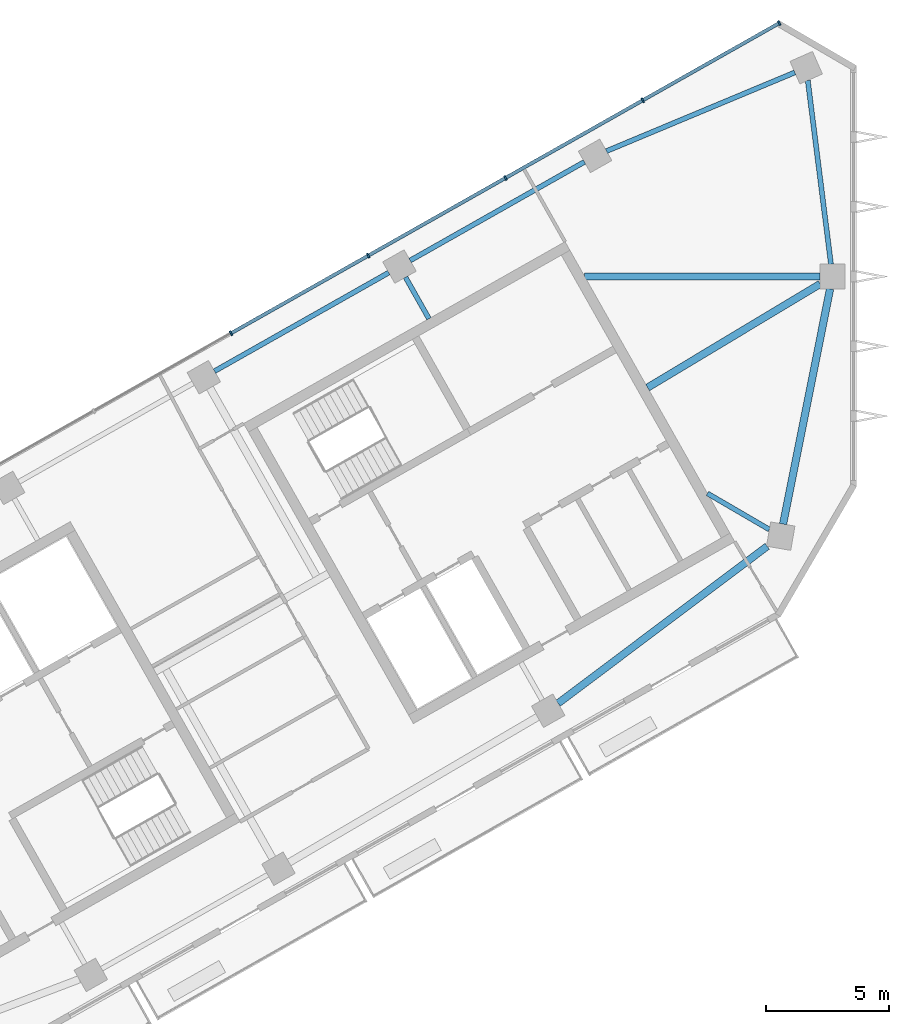
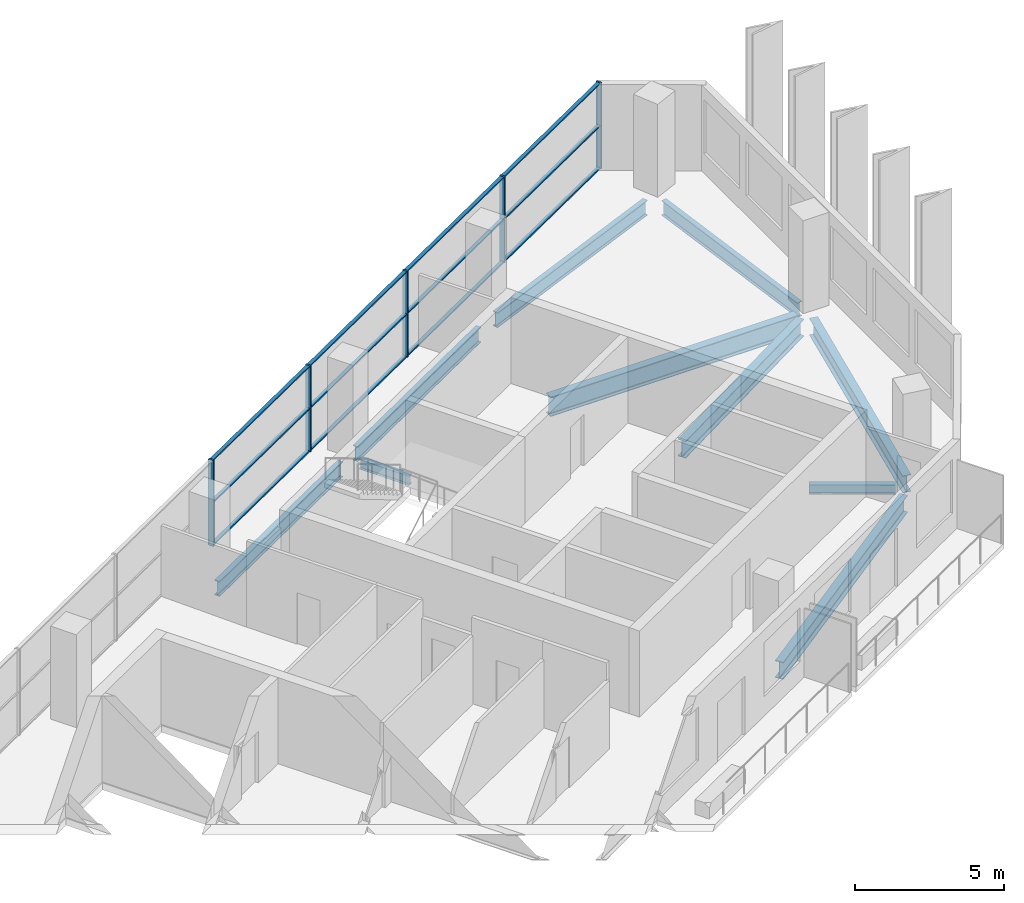
# One storey, part 4 of 10: 17 members, 10 beams, 1 element without a shape of its own.
"""IFC4 building model written with IfcOpenShell, lengths in metres."""

import ifcopenshell
import ifcopenshell.guid

model = None  # the IFC model being written
_history = None  # IfcOwnerHistory: only IFC2X3 demands one
_inside = {}  # id of a spatial element -> (the spatial element, [elements in it])
_under = {}  # id of a project, library or spatial element -> (it, [spatial elements below it])
_declared = {}  # id of a project -> (the project, [libraries it declares])
_typed = {}  # id of a type object -> (the type object, [elements of that type])
_made_of = {}  # id of a material, layer set ... -> (it, [elements and type objects made of it])


def new_model(schema):
    """Start an empty IFC model of exactly this schema.

    Asked for "IFC4X3", IfcOpenShell would pick the latest addendum, in which some entities
    have other attributes; the version numbers below select the first issue.
    IFC2X3 requires an IfcOwnerHistory on every rooted entity: one is made here for all.
    """
    global model, _history
    if schema == "IFC4X3":
        model = ifcopenshell.file(schema_version=(4, 3, 0, 0))
    else:
        model = ifcopenshell.file(schema=schema)
    _inside.clear()
    _under.clear()
    _declared.clear()
    _typed.clear()
    _made_of.clear()
    _history = None
    if model.schema == "IFC2X3":
        org = make("IfcOrganization", Name="unknown")
        user = make(
            "IfcPersonAndOrganization",
            ThePerson=make("IfcPerson", FamilyName="unknown"),
            TheOrganization=org,
        )
        app = make(
            "IfcApplication",
            ApplicationDeveloper=org,
            Version="unknown",
            ApplicationFullName="unknown",
            ApplicationIdentifier="unknown",
        )
        _history = make(
            "IfcOwnerHistory",
            OwningUser=user,
            OwningApplication=app,
            ChangeAction="ADDED",
            CreationDate=0,
        )
    return model


def make(cls, **values):
    """One entity of the class cls with the attributes given. An attribute that is None is left unset."""
    return model.create_entity(
        cls, **{name: value for name, value in values.items() if value is not None}
    )


def rooted(cls, **values):
    """An entity with a GlobalId (a new one), such as an element, a storey or a relation."""
    return make(cls, GlobalId=ifcopenshell.guid.new(), OwnerHistory=_history, **values)


def si_unit(unit_type, name, prefix=None):
    """IfcSIUnit, for example si_unit("LENGTHUNIT", "METRE", prefix="MILLI")."""
    return make("IfcSIUnit", UnitType=unit_type, Prefix=prefix, Name=name)


def assignment(units):
    """IfcUnitAssignment: the units of a project."""
    return None if units is None else make("IfcUnitAssignment", Units=units)


def point(xyz):
    """IfcCartesianPoint."""
    return None if xyz is None else make("IfcCartesianPoint", Coordinates=xyz)


def direction(xyz):
    """IfcDirection."""
    return None if xyz is None else make("IfcDirection", DirectionRatios=xyz)


def frame(location, z_axis=None, x_axis=None):
    """IfcAxis2Placement3D, a coordinate frame: its origin and axes. An axis left out is left unset."""
    return make(
        "IfcAxis2Placement3D",
        Location=point(location),
        Axis=direction(z_axis),
        RefDirection=direction(x_axis),
    )


def frame_2d(location, x_axis=None):
    """IfcAxis2Placement2D, a coordinate frame in the plane: its origin and x axis."""
    return make(
        "IfcAxis2Placement2D", Location=point(location), RefDirection=direction(x_axis)
    )


def origin():
    """The frame at (0, 0, 0) with its axes left unset."""
    return frame((0.0, 0.0, 0.0))


def origin_2d():
    """The frame at (0, 0) in the plane with its x axis left unset."""
    return frame_2d((0.0, 0.0))


def place(relative_to, where):
    """IfcLocalPlacement: puts the frame where relative to a parent placement (None: the world)."""
    return make(
        "IfcLocalPlacement", PlacementRelTo=relative_to, RelativePlacement=where
    )


def context(
    kind, dimensions, precision=None, world=None, true_north=None, identifier=None
):
    """IfcGeometricRepresentationContext, for example the 3D "Model" context."""
    return make(
        "IfcGeometricRepresentationContext",
        ContextIdentifier=identifier,
        ContextType=kind,
        CoordinateSpaceDimension=dimensions,
        Precision=precision,
        WorldCoordinateSystem=world,
        TrueNorth=true_north,
    )


def subcontext(parent, identifier, kind, view, scale=None):
    """IfcGeometricRepresentationSubContext, for example "Body" below "Model"."""
    return make(
        "IfcGeometricRepresentationSubContext",
        ContextIdentifier=identifier,
        ContextType=kind,
        ParentContext=parent,
        TargetScale=scale,
        TargetView=view,
    )


def project(units=None, contexts=None):
    """IfcProject with its units and contexts."""
    return rooted(
        "IfcProject",
        Name="project",
        RepresentationContexts=contexts,
        UnitsInContext=assignment(units),
    )


def spatial(cls, under=None, at=None, **own):
    """A site, building, storey or space (cls), placed at a placement, below another one or the project."""
    s = rooted(cls, ObjectPlacement=at, **own)
    if under is not None:
        _under.setdefault(under.id(), (under, []))[1].append(s)
    return s


def profile(cls, at=None, kind="AREA", **sizes):
    """A parametric profile (cls). Its sizes go by their IFC names, for example OverallWidth=200.0."""
    return make(cls, ProfileType=kind, Position=at, **sizes)


def rectangle(**sizes):
    """IfcRectangleProfileDef."""
    return profile("IfcRectangleProfileDef", **sizes)


def i_section(**sizes):
    """IfcIShapeProfileDef."""
    return profile("IfcIShapeProfileDef", **sizes)


def extrude(swept, where, along, depth):
    """IfcExtrudedAreaSolid: the profile swept, set in the frame where, extruded along a direction by depth."""
    return make(
        "IfcExtrudedAreaSolid",
        SweptArea=swept,
        Position=where,
        ExtrudedDirection=direction(along),
        Depth=depth,
    )


def shape(context_of_items, identifier, shape_type, items):
    """IfcShapeRepresentation: the items that make up one representation, for example the "Body"."""
    return make(
        "IfcShapeRepresentation",
        ContextOfItems=context_of_items,
        RepresentationIdentifier=identifier,
        RepresentationType=shape_type,
        Items=items,
    )


def material(Name=None, Category=None):
    """IfcMaterial."""
    return make("IfcMaterial", Name=Name, Category=Category)


def material_profile(
    of_material, cross_section, Name=None, Category=None, Priority=None
):
    """IfcMaterialProfile: a cross section and its material."""
    return make(
        "IfcMaterialProfile",
        Name=Name,
        Material=of_material,
        Profile=cross_section,
        Priority=Priority,
        Category=Category,
    )


def profile_set(profiles, Name=None, composite=None):
    """IfcMaterialProfileSet."""
    return make(
        "IfcMaterialProfileSet",
        Name=Name,
        MaterialProfiles=profiles,
        CompositeProfile=composite,
    )


def made_of(thing, what):
    """Note that an element or type object is made of a material, layer set ...; save() writes the relation."""
    if what is not None:
        _made_of.setdefault(what.id(), (what, []))[1].append(thing)
    return thing


def type_object(cls, material=None, **own):
    """A type object (cls), such as IfcWallType, which elements share."""
    return made_of(rooted(cls, **own), material)


def element(
    cls,
    number,
    at=None,
    inside=None,
    cuts=None,
    type_object=None,
    material=None,
    context=None,
    identifier="Body",
    shape_type=None,
    held_by="IfcProductDefinitionShape",
    body=None,
    shapes=None,
    **own,
):
    """One element of the class cls, such as IfcWall. Its Tag is "e" and its number.

    at: its placement. inside: the storey or other place that contains it. cuts: it is an
    opening in that element (IfcRelVoidsElement). A single representation is given by context,
    identifier, shape_type and body (its items); several are given by shapes. held_by: the class
    of the entity that holds the representations. save() writes the other relations.
    """
    e = rooted(cls, Tag="e%d" % number, ObjectPlacement=at, **own)
    if body is not None:
        shapes = [shape(context, identifier, shape_type, body)]
    if shapes is not None:
        e.Representation = make(held_by, Representations=shapes)
    if inside is not None:
        _inside.setdefault(inside.id(), (inside, []))[1].append(e)
    if cuts is not None:
        rooted(
            "IfcRelVoidsElement", RelatingBuildingElement=cuts, RelatedOpeningElement=e
        )
    if type_object is not None:
        _typed.setdefault(type_object.id(), (type_object, []))[1].append(e)
    return made_of(e, material)


def aggregate(whole, parts):
    """IfcRelAggregates: a whole, such as a stair, and the parts it consists of."""
    return rooted("IfcRelAggregates", RelatingObject=whole, RelatedObjects=parts)


def save(model, path):
    """Write the relations noted so far, then the file.

    IfcRelAggregates (storeys below a building ...), IfcRelContainedInSpatialStructure (elements
    in a storey), IfcRelDefinesByType, IfcRelAssociatesMaterial and IfcRelDeclares: one each for
    every whole, place, type object, material and project.
    """
    for whole, parts in _under.values():
        aggregate(whole, parts)
    for where, things in _inside.values():
        rooted(
            "IfcRelContainedInSpatialStructure",
            RelatedElements=things,
            RelatingStructure=where,
        )
    for kind, things in _typed.values():
        rooted("IfcRelDefinesByType", RelatedObjects=things, RelatingType=kind)
    for what, things in _made_of.values():
        rooted("IfcRelAssociatesMaterial", RelatedObjects=things, RelatingMaterial=what)
    for by, libraries in _declared.values():
        rooted("IfcRelDeclares", RelatingContext=by, RelatedDefinitions=libraries)
    model.write(path)


model = new_model("IFC4")

# Units and contexts
model_context = context("Model", 3, precision=1e-05, world=origin(), true_north=direction((0.0, 1.0)))
body_context = subcontext(model_context, "Body", "Model", "MODEL_VIEW")
ifc_project = project(units=[si_unit("LENGTHUNIT", "METRE"), si_unit("AREAUNIT", "SQUARE_METRE"), si_unit("VOLUMEUNIT", "CUBIC_METRE"), si_unit("PLANEANGLEUNIT", "RADIAN"), si_unit("MASSUNIT", "GRAM", prefix="KILO")], contexts=[model_context])

# Site, building, storey
site_placement = place(None, origin())
site = spatial("IfcSite", under=ifc_project, at=site_placement, CompositionType="ELEMENT")
building_placement = place(site_placement, origin())
building = spatial("IfcBuilding", under=site, at=building_placement, Name="Binnacle Exchange Tower", CompositionType="ELEMENT")
storey_placement = place(building_placement, frame((0.0, 0.0, 339.300048828125)))
storey = spatial("IfcBuildingStorey", under=building, at=storey_placement, Name="L77", CompositionType="ELEMENT", Elevation=339.300048828125)

# Curtain wall, members
ifc_material_1 = material(Name="Bronze anodised aluminium frame", Category="aluminium")
curtain_wall_type = type_object("IfcCurtainWallType", Name="External wall - curtain wall executive floors", PredefinedType="NOTDEFINED", material=ifc_material_1)
curtain_wall_placement = place(storey_placement, origin())
curtain_wall = element("IfcCurtainWall", 1, at=curtain_wall_placement, inside=storey, type_object=curtain_wall_type, Name="External wall curtain wall CW4-H03 L77", PredefinedType="NOTDEFINED")
ifc_material_profile_1 = material_profile(ifc_material_1, rectangle(XDim=0.199951171875, YDim=0.070068359375, at=origin_2d()), Name="AL 70x200")
ifc_profile_set_1 = profile_set([ifc_material_profile_1], Name="Bronze anodised aluminium frame")
member_type_1 = type_object("IfcMemberType", Name="CW4 MULLION 70x200", PredefinedType="MULLION", material=ifc_profile_set_1)
member_1_placement = place(storey_placement, frame((-3.01416015625, 70.294677734375, 0.0), z_axis=(0.0, 0.0, 1.0), x_axis=(0.492423763019, -0.870355581136, 0.0)))
member_1 = element("IfcMember", 2, at=member_1_placement, type_object=member_type_1, Name="CW4-H03 mullion 1", PredefinedType="MULLION", context=body_context, shape_type="SweptSolid", body=[
    extrude(rectangle(XDim=0.199951171875, YDim=0.070068359375, at=origin_2d()), origin(), (0.0, 0.0, 1.0), 3.52001953125),
])
member_2_placement = place(storey_placement, frame((-8.55859375, 67.15771484375, 0.0), z_axis=(0.0, 0.0, 1.0), x_axis=(0.492423763019, -0.870355581136, 0.0)))
member_2 = element("IfcMember", 3, at=member_2_placement, type_object=member_type_1, Name="CW4-H03 mullion 2", PredefinedType="MULLION", context=body_context, shape_type="SweptSolid", body=[
    extrude(rectangle(XDim=0.199951171875, YDim=0.070068359375, at=origin_2d()), origin(), (0.0, 0.0, 1.0), 3.52001953125),
])
member_3_placement = place(storey_placement, frame((-14.13330078125, 64.003662109375, 0.0), z_axis=(0.0, 0.0, 1.0), x_axis=(0.492423763019, -0.870355581136, 0.0)))
member_3 = element("IfcMember", 4, at=member_3_placement, type_object=member_type_1, Name="CW4-H03 mullion 3", PredefinedType="MULLION", context=body_context, shape_type="SweptSolid", body=[
    extrude(rectangle(XDim=0.199951171875, YDim=0.070068359375, at=origin_2d()), origin(), (0.0, 0.0, 1.0), 3.52001953125),
])
member_4_placement = place(storey_placement, frame((-19.708251953125, 60.849609375, 0.0), z_axis=(0.0, 0.0, 1.0), x_axis=(0.492423763019, -0.870355581136, 0.0)))
member_4 = element("IfcMember", 5, at=member_4_placement, type_object=member_type_1, Name="CW4-H03 mullion 4", PredefinedType="MULLION", context=body_context, shape_type="SweptSolid", body=[
    extrude(rectangle(XDim=0.199951171875, YDim=0.070068359375, at=origin_2d()), origin(), (0.0, 0.0, 1.0), 3.52001953125),
])
member_5_placement = place(storey_placement, frame((-25.283203125, 57.695556640625, 0.0), z_axis=(0.0, 0.0, 1.0), x_axis=(0.492423763019, -0.870355581136, 0.0)))
member_5 = element("IfcMember", 6, at=member_5_placement, type_object=member_type_1, Name="CW4-H03 mullion 5", PredefinedType="MULLION", context=body_context, shape_type="SweptSolid", body=[
    extrude(rectangle(XDim=0.199951171875, YDim=0.070068359375, at=origin_2d()), origin(), (0.0, 0.0, 1.0), 3.52001953125),
])
ifc_material_profile_2 = material_profile(ifc_material_1, rectangle(XDim=0.139892578125, YDim=0.050048828125, at=origin_2d()), Name="AL 140x50")
ifc_profile_set_2 = profile_set([ifc_material_profile_2], Name="Bronze anodised aluminium frame")
member_type_2 = type_object("IfcMemberType", Name="CW4 TRANSOM 50x140", PredefinedType="USERDEFINED", material=ifc_profile_set_2)
member_6_placement = place(storey_placement, frame((-3.044677734375, 70.27734375, 0.02490234375), z_axis=(-0.870359957561, -0.492416027637, 0.0), x_axis=(0.492416027637, -0.870359957561, 0.0)))
member_6 = element("IfcMember", 7, at=member_6_placement, type_object=member_type_2, Name="CW4-H03 transom 1.1", ObjectType="TRANSOM", PredefinedType="USERDEFINED", context=body_context, shape_type="SweptSolid", body=[
    extrude(rectangle(XDim=0.139892578125, YDim=0.050048828125, at=origin_2d()), origin(), (0.0, 0.0, 1.0), 6.300048828125),
])
member_7_placement = place(storey_placement, frame((-3.044677734375, 70.27734375, 1.760009765625), z_axis=(-0.870359957561, -0.492416027637, 0.0), x_axis=(0.492416027637, -0.870359957561, 0.0)))
member_7 = element("IfcMember", 8, at=member_7_placement, type_object=member_type_2, Name="CW4-H03 transom 1.2", ObjectType="TRANSOM", PredefinedType="USERDEFINED", context=body_context, shape_type="SweptSolid", body=[
    extrude(rectangle(XDim=0.139892578125, YDim=0.050048828125, at=origin_2d()), origin(), (0.0, 0.0, 1.0), 6.300048828125),
])
member_8_placement = place(storey_placement, frame((-3.044677734375, 70.27734375, 3.494873046875), z_axis=(-0.870359957561, -0.492416027637, 0.0), x_axis=(0.492416027637, -0.870359957561, 0.0)))
member_8 = element("IfcMember", 9, at=member_8_placement, type_object=member_type_2, Name="CW4-H03 transom 1.3", ObjectType="TRANSOM", PredefinedType="USERDEFINED", context=body_context, shape_type="SweptSolid", body=[
    extrude(rectangle(XDim=0.139892578125, YDim=0.050048828125, at=origin_2d()), origin(), (0.0, 0.0, 1.0), 6.300048828125),
])
member_9_placement = place(storey_placement, frame((-8.589111328125, 67.140625, 0.02490234375), z_axis=(-0.870355335808, -0.492424196633, 0.0), x_axis=(0.492424196633, -0.870355335808, 0.0)))
member_9 = element("IfcMember", 10, at=member_9_placement, type_object=member_type_2, Name="CW4-H03 transom 2.1", ObjectType="TRANSOM", PredefinedType="USERDEFINED", context=body_context, shape_type="SweptSolid", body=[
    extrude(rectangle(XDim=0.139892578125, YDim=0.050048828125, at=origin_2d()), origin(), (0.0, 0.0, 1.0), 6.335205078125),
])
member_10_placement = place(storey_placement, frame((-8.589111328125, 67.140625, 1.760009765625), z_axis=(-0.870355335808, -0.492424196633, 0.0), x_axis=(0.492424196633, -0.870355335808, 0.0)))
member_10 = element("IfcMember", 11, at=member_10_placement, type_object=member_type_2, Name="CW4-H03 transom 2.2", ObjectType="TRANSOM", PredefinedType="USERDEFINED", context=body_context, shape_type="SweptSolid", body=[
    extrude(rectangle(XDim=0.139892578125, YDim=0.050048828125, at=origin_2d()), origin(), (0.0, 0.0, 1.0), 6.335205078125),
])
member_11_placement = place(storey_placement, frame((-8.589111328125, 67.140625, 3.494873046875), z_axis=(-0.870355335808, -0.492424196633, 0.0), x_axis=(0.492424196633, -0.870355335808, 0.0)))
member_11 = element("IfcMember", 12, at=member_11_placement, type_object=member_type_2, Name="CW4-H03 transom 2.3", ObjectType="TRANSOM", PredefinedType="USERDEFINED", context=body_context, shape_type="SweptSolid", body=[
    extrude(rectangle(XDim=0.139892578125, YDim=0.050048828125, at=origin_2d()), origin(), (0.0, 0.0, 1.0), 6.335205078125),
])
member_12_placement = place(storey_placement, frame((-14.163818359375, 63.986328125, 0.02490234375), z_axis=(-0.870355335808, -0.492424196633, 0.0), x_axis=(0.492424196633, -0.870355335808, 0.0)))
member_12 = element("IfcMember", 13, at=member_12_placement, type_object=member_type_2, Name="CW4-H03 transom 3.1", ObjectType="TRANSOM", PredefinedType="USERDEFINED", context=body_context, shape_type="SweptSolid", body=[
    extrude(rectangle(XDim=0.139892578125, YDim=0.050048828125, at=origin_2d()), origin(), (0.0, 0.0, 1.0), 6.335205078125),
])
member_13_placement = place(storey_placement, frame((-14.163818359375, 63.986328125, 1.760009765625), z_axis=(-0.870355335808, -0.492424196633, 0.0), x_axis=(0.492424196633, -0.870355335808, 0.0)))
member_13 = element("IfcMember", 14, at=member_13_placement, type_object=member_type_2, Name="CW4-H03 transom 3.2", ObjectType="TRANSOM", PredefinedType="USERDEFINED", context=body_context, shape_type="SweptSolid", body=[
    extrude(rectangle(XDim=0.139892578125, YDim=0.050048828125, at=origin_2d()), origin(), (0.0, 0.0, 1.0), 6.335205078125),
])
member_14_placement = place(storey_placement, frame((-14.163818359375, 63.986328125, 3.494873046875), z_axis=(-0.870355335808, -0.492424196633, 0.0), x_axis=(0.492424196633, -0.870355335808, 0.0)))
member_14 = element("IfcMember", 15, at=member_14_placement, type_object=member_type_2, Name="CW4-H03 transom 3.3", ObjectType="TRANSOM", PredefinedType="USERDEFINED", context=body_context, shape_type="SweptSolid", body=[
    extrude(rectangle(XDim=0.139892578125, YDim=0.050048828125, at=origin_2d()), origin(), (0.0, 0.0, 1.0), 6.335205078125),
])
member_15_placement = place(storey_placement, frame((-19.73876953125, 60.832275390625, 0.02490234375), z_axis=(-0.870355335808, -0.492424196633, 0.0), x_axis=(0.492424196633, -0.870355335808, 0.0)))
member_15 = element("IfcMember", 16, at=member_15_placement, type_object=member_type_2, Name="CW4-H03 transom 4.1", ObjectType="TRANSOM", PredefinedType="USERDEFINED", context=body_context, shape_type="SweptSolid", body=[
    extrude(rectangle(XDim=0.139892578125, YDim=0.050048828125, at=origin_2d()), origin(), (0.0, 0.0, 1.0), 6.335205078125),
])
member_16_placement = place(storey_placement, frame((-19.73876953125, 60.832275390625, 1.760009765625), z_axis=(-0.870355335808, -0.492424196633, 0.0), x_axis=(0.492424196633, -0.870355335808, 0.0)))
member_16 = element("IfcMember", 17, at=member_16_placement, type_object=member_type_2, Name="CW4-H03 transom 4.2", ObjectType="TRANSOM", PredefinedType="USERDEFINED", context=body_context, shape_type="SweptSolid", body=[
    extrude(rectangle(XDim=0.139892578125, YDim=0.050048828125, at=origin_2d()), origin(), (0.0, 0.0, 1.0), 6.335205078125),
])
member_17_placement = place(storey_placement, frame((-19.73876953125, 60.832275390625, 3.494873046875), z_axis=(-0.870355335808, -0.492424196633, 0.0), x_axis=(0.492424196633, -0.870355335808, 0.0)))
member_17 = element("IfcMember", 18, at=member_17_placement, type_object=member_type_2, Name="CW4-H03 transom 4.3", ObjectType="TRANSOM", PredefinedType="USERDEFINED", context=body_context, shape_type="SweptSolid", body=[
    extrude(rectangle(XDim=0.139892578125, YDim=0.050048828125, at=origin_2d()), origin(), (0.0, 0.0, 1.0), 6.335205078125),
])
aggregate(curtain_wall, [member_1, member_2, member_3, member_4, member_5, member_6, member_7, member_8, member_9, member_10, member_11, member_12, member_13, member_14, member_15, member_16, member_17])

# Beams
ifc_material_2 = material(Name="Steel S355 (SHN355)", Category="steel")
ifc_material_profile_3 = material_profile(ifc_material_2, i_section(OverallWidth=0.200927734375, OverallDepth=0.60595703125, WebThickness=0.011962890625, FlangeThickness=0.02001953125, FilletRadius=0.02197265625, at=origin_2d()), Name="H 606x201x12x20")
ifc_profile_set_3 = profile_set([ifc_material_profile_3], Name="Steel S355 (SHN355)")
beam_type_1 = type_object("IfcBeamType", Name="Edge girder H 606x201x12x20 Steel S355 (SHN355)", PredefinedType="SPANDREL", material=ifc_profile_set_3)
beam_1_placement = place(storey_placement, frame((-0.9130859375, 60.5, -0.5830078125), z_axis=(-0.125172722987, 0.992134965325, 0.0), x_axis=(-0.992134965325, -0.125172722987, 0.0)))
element("IfcBeam", 19, at=beam_1_placement, inside=storey, type_object=beam_type_1, Name="S:BM:edge:L77:018", PredefinedType="SPANDREL", context=body_context, shape_type="SweptSolid", body=[
    extrude(i_section(OverallWidth=0.200927734375, OverallDepth=0.60595703125, WebThickness=0.011962890625, FlangeThickness=0.02001953125, FilletRadius=0.02197265625, at=origin_2d()), origin(), (0.0, 0.0, 1.0), 7.524658203125),
])
ifc_material_profile_4 = material_profile(ifc_material_2, i_section(OverallWidth=0.201904296875, OverallDepth=0.612060546875, WebThickness=0.012939453125, FlangeThickness=0.02294921875, FilletRadius=0.02197265625, at=origin_2d()), Name="H 612x202x13x23")
ifc_profile_set_4 = profile_set([ifc_material_profile_4], Name="Steel S355 (SHN355)")
beam_type_2 = type_object("IfcBeamType", Name="Edge girder H 612x202x13x23 Steel S355 (SHN355)", PredefinedType="SPANDREL", material=ifc_profile_set_4)
beam_2_placement = place(storey_placement, frame((-18.87646484375, 60.159912109375, -0.5859375), z_axis=(-0.870353024448, -0.49242828192, 0.0), x_axis=(0.49242828192, -0.870353024448, 0.0)))
element("IfcBeam", 20, at=beam_2_placement, inside=storey, type_object=beam_type_2, Name="S:BM:edge:L77:013", PredefinedType="SPANDREL", context=body_context, shape_type="SweptSolid", body=[
    extrude(i_section(OverallWidth=0.201904296875, OverallDepth=0.612060546875, WebThickness=0.012939453125, FlangeThickness=0.02294921875, FilletRadius=0.02197265625, at=origin_2d()), origin(), (0.0, 0.0, 1.0), 8.1298828125),
])
beam_3_placement = place(storey_placement, frame((-10.930419921875, 64.655517578125, -0.5859375), z_axis=(-0.870345742373, -0.492441152558, 0.0), x_axis=(0.492441152558, -0.870345742373, 0.0)))
element("IfcBeam", 21, at=beam_3_placement, inside=storey, type_object=beam_type_2, Name="S:BM:edge:L77:015", PredefinedType="SPANDREL", context=body_context, shape_type="SweptSolid", body=[
    extrude(i_section(OverallWidth=0.201904296875, OverallDepth=0.612060546875, WebThickness=0.012939453125, FlangeThickness=0.02294921875, FilletRadius=0.02197265625, at=origin_2d()), origin(), (0.0, 0.0, 1.0), 8.129638671875),
])
beam_4_placement = place(storey_placement, frame((-2.381591796875, 68.29052734375, -0.5859375), z_axis=(-0.922743712975, -0.385414115161, 0.0), x_axis=(0.385414115161, -0.922743712975, 0.0)))
element("IfcBeam", 22, at=beam_4_placement, inside=storey, type_object=beam_type_2, Name="S:BM:edge:L77:017", PredefinedType="SPANDREL", context=body_context, shape_type="SweptSolid", body=[
    extrude(i_section(OverallWidth=0.201904296875, OverallDepth=0.612060546875, WebThickness=0.012939453125, FlangeThickness=0.02294921875, FilletRadius=0.02197265625, at=origin_2d()), origin(), (0.0, 0.0, 1.0), 8.289306640625),
])
ifc_material_profile_5 = material_profile(ifc_material_2, i_section(OverallWidth=0.300048828125, OverallDepth=0.699951171875, WebThickness=0.012939453125, FlangeThickness=0.02392578125, FilletRadius=0.028076171875, at=origin_2d()), Name="H 700x300x13x24")
ifc_profile_set_5 = profile_set([ifc_material_profile_5], Name="Steel S355 (SHN355)")
beam_type_3 = type_object("IfcBeamType", Name="Edge girder H 700x300x13x24 Steel S355 (SHN355)", PredefinedType="SPANDREL", material=ifc_profile_set_5)
beam_5_placement = place(storey_placement, frame((-11.996826171875, 42.666015625, -0.630126953125), z_axis=(0.799641252976, 0.600478031687, 0.0), x_axis=(-0.600478031687, 0.799641252976, 0.0)))
element("IfcBeam", 23, at=beam_5_placement, inside=storey, type_object=beam_type_3, Name="S:BM:edge:L77:014", PredefinedType="SPANDREL", context=body_context, shape_type="SweptSolid", body=[
    extrude(i_section(OverallWidth=0.300048828125, OverallDepth=0.699951171875, WebThickness=0.012939453125, FlangeThickness=0.02392578125, FilletRadius=0.028076171875, at=origin_2d()), origin(), (0.0, 0.0, 1.0), 10.62060546875),
])
beam_6_placement = place(storey_placement, frame((-2.857421875, 49.946044921875, -0.630126953125), z_axis=(0.195812523993, 0.98064134904, 0.0), x_axis=(-0.98064134904, 0.195812523993, 0.0)))
element("IfcBeam", 24, at=beam_6_placement, inside=storey, type_object=beam_type_3, Name="S:BM:edge:L77:016", PredefinedType="SPANDREL", context=body_context, shape_type="SweptSolid", body=[
    extrude(i_section(OverallWidth=0.300048828125, OverallDepth=0.699951171875, WebThickness=0.012939453125, FlangeThickness=0.02392578125, FilletRadius=0.028076171875, at=origin_2d()), origin(), (0.0, 0.0, 1.0), 9.74267578125),
])
ifc_material_profile_6 = material_profile(ifc_material_2, i_section(OverallWidth=0.199951171875, OverallDepth=0.39990234375, WebThickness=0.008056640625, FlangeThickness=0.012939453125, FilletRadius=0.01611328125, at=origin_2d()), Name="H 400x200x8x13")
ifc_profile_set_6 = profile_set([ifc_material_profile_6], Name="Steel S355 (SHN355)")
beam_type_4 = type_object("IfcBeamType", Name="Floor beam H 400x200x8x13 Steel S355 (SHN355)", PredefinedType="BEAM", material=ifc_profile_set_6)
beam_7_placement = place(storey_placement, frame((-18.195068359375, 59.970703125, -0.47998046875), z_axis=(0.492423244016, -0.870355874773, 0.0), x_axis=(0.870355874773, 0.492423244016, 0.0)))
element("IfcBeam", 25, at=beam_7_placement, inside=storey, type_object=beam_type_4, Name="S:BM:cross:L77:026", PredefinedType="BEAM", context=body_context, shape_type="SweptSolid", body=[
    extrude(i_section(OverallWidth=0.199951171875, OverallDepth=0.39990234375, WebThickness=0.008056640625, FlangeThickness=0.012939453125, FilletRadius=0.01611328125, at=origin_2d()), origin(), (0.0, 0.0, 1.0), 1.93408203125),
])
beam_8_placement = place(storey_placement, frame((-3.416259765625, 49.72412109375, -0.47998046875), z_axis=(-0.86381235495, 0.503813671346, 0.0), x_axis=(-0.503813671346, -0.86381235495, 0.0)))
element("IfcBeam", 26, at=beam_8_placement, inside=storey, type_object=beam_type_4, Name="S:BM:cross:L77:028", PredefinedType="BEAM", context=body_context, shape_type="SweptSolid", body=[
    extrude(i_section(OverallWidth=0.199951171875, OverallDepth=0.39990234375, WebThickness=0.008056640625, FlangeThickness=0.012939453125, FilletRadius=0.01611328125, at=origin_2d()), origin(), (0.0, 0.0, 1.0), 2.911376953125),
])
ifc_material_profile_7 = material_profile(ifc_material_2, i_section(OverallWidth=0.300048828125, OverallDepth=0.800048828125, WebThickness=0.013916015625, FlangeThickness=0.02587890625, FilletRadius=0.028076171875, at=origin_2d()), Name="H 800x300x14x26")
ifc_profile_set_7 = profile_set([ifc_material_profile_7], Name="Steel S355 (SHN355)")
beam_type_5 = type_object("IfcBeamType", Name="Floor beam H 800x300x14x26 Steel S355 (SHN355)", PredefinedType="BEAM", material=ifc_profile_set_7)
beam_9_placement = place(storey_placement, frame((-1.35009765625, 60.0, -0.679931640625), z_axis=(-1.0, 0.0, 0.0), x_axis=(0.0, -1.0, 0.0)))
element("IfcBeam", 27, at=beam_9_placement, inside=storey, type_object=beam_type_5, Name="S:BM:cross:L77:029", PredefinedType="BEAM", context=body_context, shape_type="SweptSolid", body=[
    extrude(i_section(OverallWidth=0.300048828125, OverallDepth=0.800048828125, WebThickness=0.013916015625, FlangeThickness=0.02587890625, FilletRadius=0.028076171875, at=origin_2d()), origin(), (0.0, 0.0, 1.0), 9.56494140625),
])
ifc_material_profile_8 = material_profile(ifc_material_2, i_section(OverallWidth=0.300048828125, OverallDepth=0.699951171875, WebThickness=0.012939453125, FlangeThickness=0.02392578125, FilletRadius=0.028076171875, at=origin_2d()), Name="H 700x300x13x24")
ifc_profile_set_8 = profile_set([ifc_material_profile_8], Name="Steel S355 (SHN355)")
beam_type_6 = type_object("IfcBeamType", Name="Spine girder H 700x300x13x24 Steel S355 (SHN355)", PredefinedType="BEAM", material=ifc_profile_set_8)
beam_10_placement = place(storey_placement, frame((-8.36328125, 55.489990234375, -0.630126953125), z_axis=(0.857382296764, 0.514680092091, 0.0), x_axis=(-0.514680092091, 0.857382296764, 0.0)))
element("IfcBeam", 28, at=beam_10_placement, inside=storey, type_object=beam_type_6, Name="S:BM:spine:L77:003", PredefinedType="BEAM", context=body_context, shape_type="SweptSolid", body=[
    extrude(i_section(OverallWidth=0.300048828125, OverallDepth=0.699951171875, WebThickness=0.012939453125, FlangeThickness=0.02392578125, FilletRadius=0.028076171875, at=origin_2d()), origin(), (0.0, 0.0, 1.0), 8.1796875),
])

save(model, "model.ifc")
